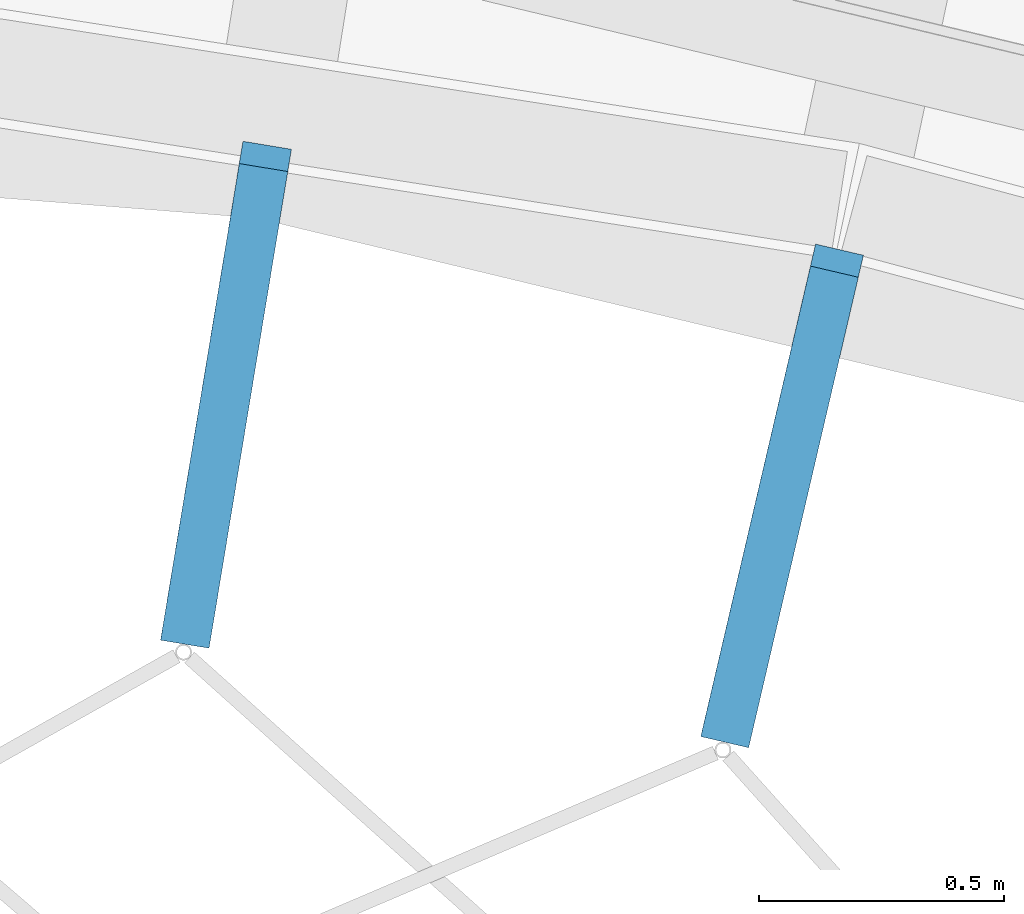
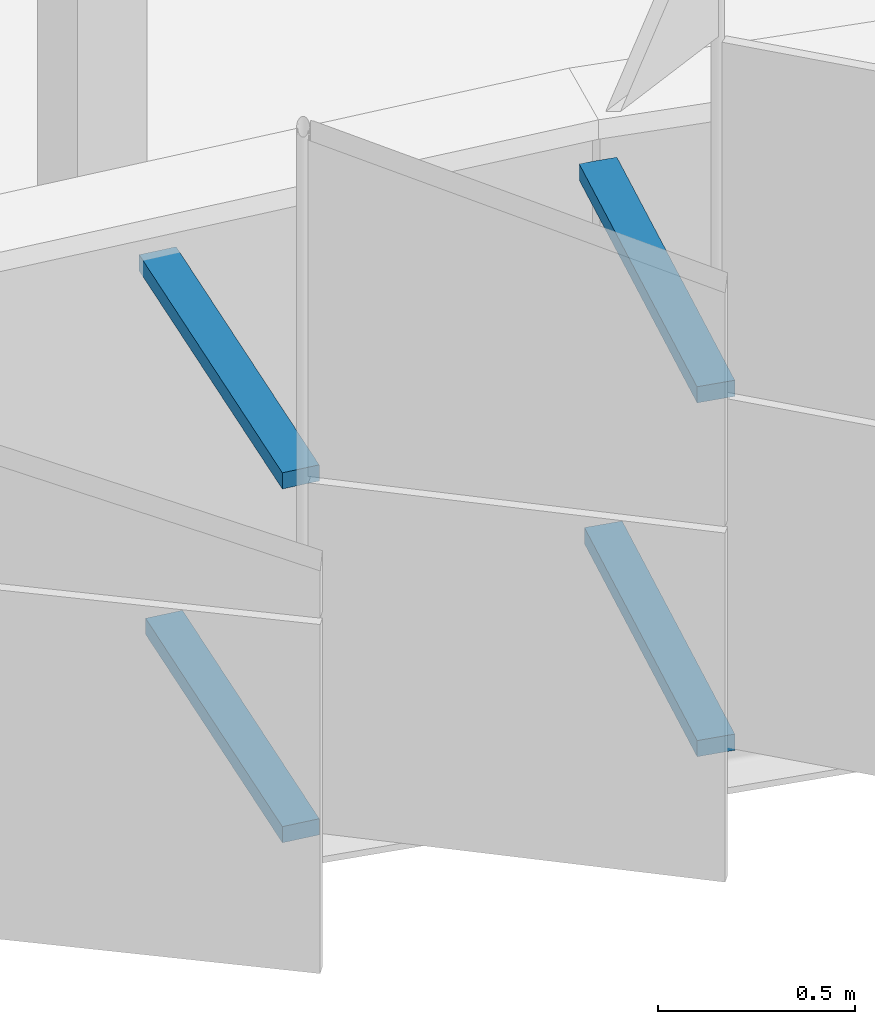
# One storey, part 245 of 483: 4 discrete accessories.
"""IFC4 building model written with IfcOpenShell, lengths in metres."""

from ifc_helpers import new_model, si_unit, direction, frame, origin, origin_2d, place, context, subcontext, project, spatial, rectangle, extrude, material, type_object, element, save


model = new_model("IFC4")

# Units and contexts
model_context = context("Model", 3, precision=1e-05, world=origin(), true_north=direction((0.0, 1.0)))
body_context = subcontext(model_context, "Body", "Model", "MODEL_VIEW")
ifc_project = project(units=[si_unit("LENGTHUNIT", "METRE"), si_unit("AREAUNIT", "SQUARE_METRE"), si_unit("VOLUMEUNIT", "CUBIC_METRE"), si_unit("PLANEANGLEUNIT", "RADIAN"), si_unit("MASSUNIT", "GRAM", prefix="KILO")], contexts=[model_context])

# Site, building, storey
site_placement = place(None, origin())
site = spatial("IfcSite", under=ifc_project, at=site_placement, CompositionType="ELEMENT")
building_placement = place(site_placement, origin())
building = spatial("IfcBuilding", under=site, at=building_placement, Name="Parallax Yard Mobility Hub", CompositionType="ELEMENT")
storey_placement = place(building_placement, frame((0.0, 0.0, 13.199951171875)))
storey = spatial("IfcBuildingStorey", under=building, at=storey_placement, Name="L04", CompositionType="ELEMENT", Elevation=13.199951171875)

# Discrete accessories
ifc_material = material(Name="Steel ASTM A36, hot-dip galvanised", Category="steel")
discrete_accessory_type = type_object("IfcDiscreteAccessoryType", Name="Hinge bracket plate 100x50", PredefinedType="BRACKET", material=ifc_material)
discrete_accessory_1_placement = place(storey_placement, frame((175.937255859375, 111.726806640625, -0.02490234375), z_axis=(0.0, 0.0, 1.0), x_axis=(-0.162895473395, -0.986643332085, 0.0)))
element("IfcDiscreteAccessory", 1, at=discrete_accessory_1_placement, inside=storey, type_object=discrete_accessory_type, Name="Hinge bracket plate bay 18.4 level L04", PredefinedType="BRACKET", context=body_context, shape_type="SweptSolid", body=[
    extrude(rectangle(XDim=0.984130859375, YDim=0.10009765625, at=origin_2d()), origin(), (0.0, 0.0, 1.0), 0.050048828125),
])
discrete_accessory_2_placement = place(storey_placement, frame((175.94091796875, 111.74951171875, 1.06982421875), z_axis=(0.0, 0.0, 1.0), x_axis=(-0.162895473395, -0.986643332085, 0.0)))
element("IfcDiscreteAccessory", 2, at=discrete_accessory_2_placement, inside=storey, type_object=discrete_accessory_type, Name="Hinge bracket plate bay 18.4 level L04", PredefinedType="BRACKET", context=body_context, shape_type="SweptSolid", body=[
    extrude(rectangle(XDim=1.030029296875, YDim=0.10009765625, at=origin_2d()), origin(), (0.0, 0.0, 1.0), 0.050048828125),
])
discrete_accessory_3_placement = place(storey_placement, frame((177.068603515625, 111.52099609375, -0.02490234375), z_axis=(0.0, 0.0, 1.0), x_axis=(-0.227076263034, -0.973876979277, 0.0)))
element("IfcDiscreteAccessory", 3, at=discrete_accessory_3_placement, inside=storey, type_object=discrete_accessory_type, Name="Hinge bracket plate bay 18.5 level L04", PredefinedType="BRACKET", context=body_context, shape_type="SweptSolid", body=[
    extrude(rectangle(XDim=0.984130859375, YDim=0.10009765625, at=origin_2d()), origin(), (0.0, 0.0, 1.0), 0.050048828125),
])
discrete_accessory_4_placement = place(storey_placement, frame((177.07373046875, 111.54345703125, 1.06982421875), z_axis=(0.0, 0.0, 1.0), x_axis=(-0.227076263034, -0.973876979277, 0.0)))
element("IfcDiscreteAccessory", 4, at=discrete_accessory_4_placement, inside=storey, type_object=discrete_accessory_type, Name="Hinge bracket plate bay 18.5 level L04", PredefinedType="BRACKET", context=body_context, shape_type="SweptSolid", body=[
    extrude(rectangle(XDim=1.030029296875, YDim=0.10009765625, at=origin_2d()), origin(), (0.0, 0.0, 1.0), 0.050048828125),
])

save(model, "model.ifc")
